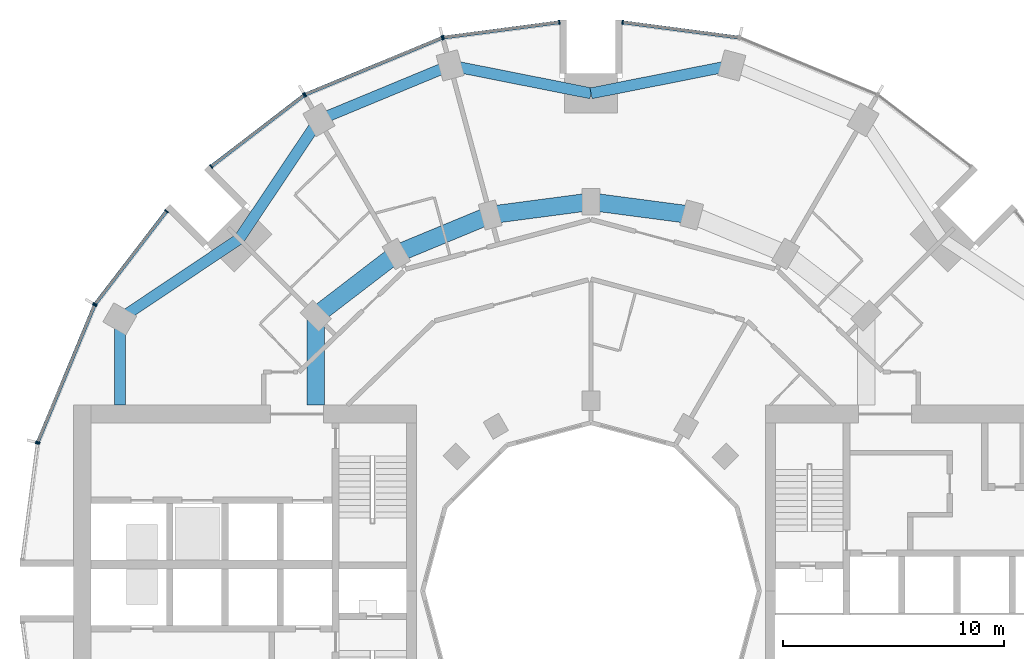
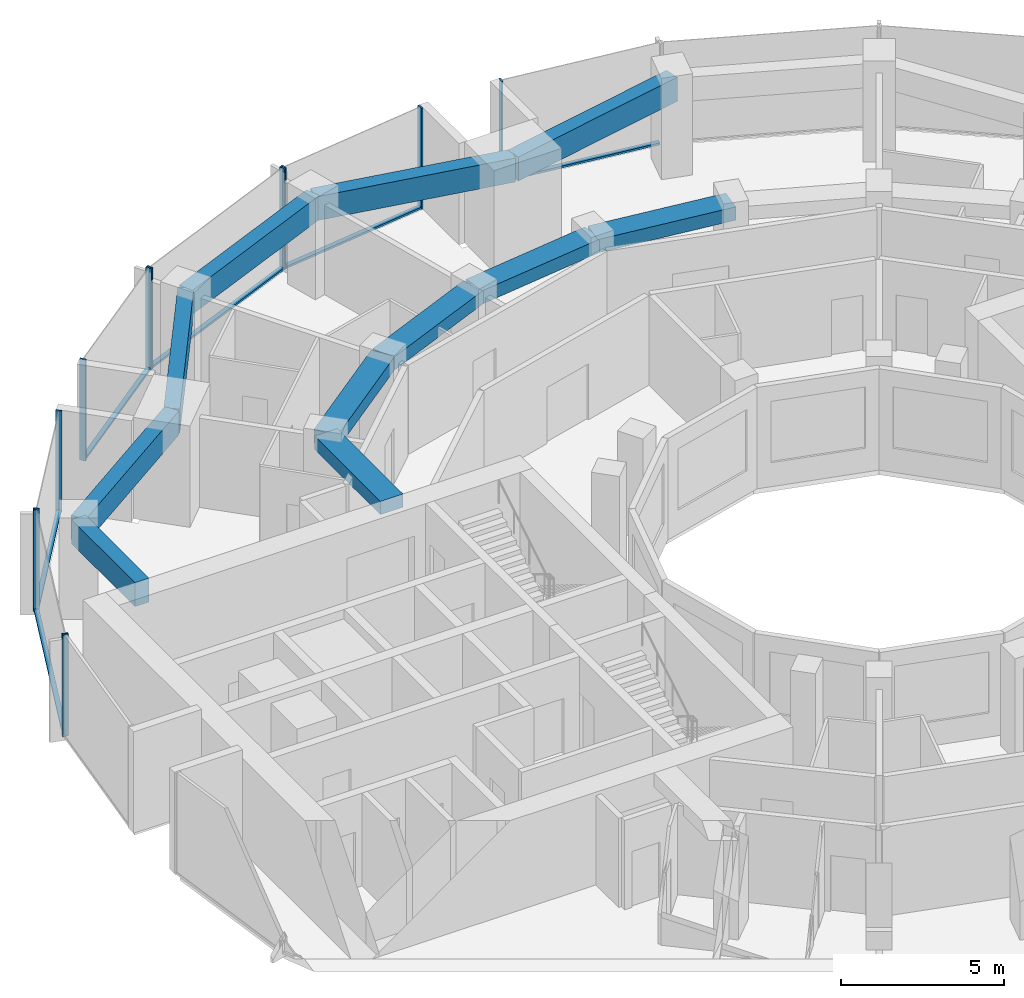
# One storey, part 5 of 15: 18 members, 11 beams, 7 elements without a shape of their own.
"""IFC4 building model written with IfcOpenShell, lengths in metres."""

from ifc_helpers import new_model, si_unit, direction, frame, origin, origin_2d, place, context, subcontext, project, spatial, rectangle, extrude, material, layer, layer_set, material_profile, profile_set, type_object, element, aggregate, save


model = new_model("IFC4")

# Units and contexts
model_context = context("Model", 3, precision=1e-05, world=origin(), true_north=direction((0.0, 1.0)))
body_context = subcontext(model_context, "Body", "Model", "MODEL_VIEW")
ifc_project = project(units=[si_unit("LENGTHUNIT", "METRE"), si_unit("AREAUNIT", "SQUARE_METRE"), si_unit("VOLUMEUNIT", "CUBIC_METRE"), si_unit("PLANEANGLEUNIT", "RADIAN"), si_unit("MASSUNIT", "GRAM", prefix="KILO")], contexts=[model_context])

# Site, building, storey
site_placement = place(None, origin())
site = spatial("IfcSite", under=ifc_project, at=site_placement, CompositionType="ELEMENT")
building_placement = place(site_placement, origin())
building = spatial("IfcBuilding", under=site, at=building_placement, Name="Torre Brocal", CompositionType="ELEMENT")
storey_placement = place(building_placement, frame((0.0, 0.0, 101.39990234375)))
storey = spatial("IfcBuildingStorey", under=building, at=storey_placement, Name="L23", CompositionType="ELEMENT", Elevation=101.39990234375)

# Curtain wall, member
ifc_material_1 = material(Name="Aluminium and glass", Category="aluminium")
ifc_layer_1 = layer(ifc_material_1, 0.199951171875)
ifc_layer_set_1 = layer_set([ifc_layer_1], Name="Aluminium and glass")
curtain_wall_type_1 = type_object("IfcCurtainWallType", Name="CW-1 CURTAIN WALL 3800 HIGH", PredefinedType="NOTDEFINED", material=ifc_layer_set_1)
curtain_wall_1_placement = place(storey_placement, origin())
curtain_wall_1 = element("IfcCurtainWall", 1, at=curtain_wall_1_placement, inside=storey, type_object=curtain_wall_type_1, Name="CW-1 RUN 6", PredefinedType="NOTDEFINED")
ifc_material_2 = material(Name="Aluminium, dark anodised", Category="aluminium")
ifc_material_profile_1 = material_profile(ifc_material_2, rectangle(XDim=0.199951171875, YDim=0.06005859375, at=origin_2d()), Name="CW-1 MULLION 60X200")
ifc_profile_set_1 = profile_set([ifc_material_profile_1], Name="Aluminium, dark anodised")
member_type_1 = type_object("IfcMemberType", Name="CW-1 MULLION 60X200", PredefinedType="MULLION", material=ifc_profile_set_1)
member_1_placement = place(storey_placement, frame((81.4296875, 100.7109375, 0.0), z_axis=(0.0, 0.0, 1.0), x_axis=(-0.13052619222, -0.991444861374, 0.0)))
member_1 = element("IfcMember", 2, at=member_1_placement, type_object=member_type_1, Name="CW1-1 mullion 2", PredefinedType="MULLION", context=body_context, shape_type="SweptSolid", body=[
    extrude(rectangle(XDim=0.199951171875, YDim=0.06005859375, at=origin_2d()), origin(), (0.0, 0.0, 1.0), 3.800048828125),
])

# Curtain wall, members
curtain_wall_2_placement = place(storey_placement, origin())
curtain_wall_2 = element("IfcCurtainWall", 3, at=curtain_wall_2_placement, inside=storey, type_object=curtain_wall_type_1, Name="CW-1 RUN 7", PredefinedType="NOTDEFINED")
member_2_placement = place(storey_placement, frame((78.5703125, 100.7109375, 0.0), z_axis=(0.0, 0.0, 1.0), x_axis=(0.13052619222, -0.991444861374, 0.0)))
member_2 = element("IfcMember", 4, at=member_2_placement, type_object=member_type_1, Name="CW1-1 mullion 1", PredefinedType="MULLION", context=body_context, shape_type="SweptSolid", body=[
    extrude(rectangle(XDim=0.199951171875, YDim=0.06005859375, at=origin_2d()), origin(), (0.0, 0.0, 1.0), 3.800048828125),
])
member_3_placement = place(storey_placement, frame((73.32666015625, 100.0205078125, 0.0), z_axis=(0.0, 0.0, 1.0), x_axis=(0.13052619222, -0.991444861374, 0.0)))
member_3 = element("IfcMember", 5, at=member_3_placement, type_object=member_type_1, Name="CW1-1 mullion 2", PredefinedType="MULLION", context=body_context, shape_type="SweptSolid", body=[
    extrude(rectangle(XDim=0.199951171875, YDim=0.06005859375, at=origin_2d()), origin(), (0.0, 0.0, 1.0), 3.800048828125),
])

curtain_wall_3_placement = place(storey_placement, origin())
curtain_wall_3 = element("IfcCurtainWall", 6, at=curtain_wall_3_placement, inside=storey, type_object=curtain_wall_type_1, Name="CW-1 RUN 8", PredefinedType="NOTDEFINED")
member_4_placement = place(storey_placement, frame((73.26904296875, 100.005126953125, 0.0), z_axis=(0.0, 0.0, 1.0), x_axis=(0.382683432333, -0.923879532525, 0.0)))
member_4 = element("IfcMember", 7, at=member_4_placement, type_object=member_type_1, Name="CW1-1 mullion 1", PredefinedType="MULLION", context=body_context, shape_type="SweptSolid", body=[
    extrude(rectangle(XDim=0.199951171875, YDim=0.06005859375, at=origin_2d()), origin(), (0.0, 0.0, 1.0), 3.800048828125),
])
member_5_placement = place(storey_placement, frame((67.078125, 97.440673828125, 0.0), z_axis=(0.0, 0.0, 1.0), x_axis=(0.382683432333, -0.923879532525, 0.0)))
member_5 = element("IfcMember", 8, at=member_5_placement, type_object=member_type_1, Name="CW1-1 mullion 2", PredefinedType="MULLION", context=body_context, shape_type="SweptSolid", body=[
    extrude(rectangle(XDim=0.199951171875, YDim=0.06005859375, at=origin_2d()), origin(), (0.0, 0.0, 1.0), 3.800048828125),
])

curtain_wall_4_placement = place(storey_placement, origin())
curtain_wall_4 = element("IfcCurtainWall", 9, at=curtain_wall_4_placement, inside=storey, type_object=curtain_wall_type_1, Name="CW-1 RUN 9", PredefinedType="NOTDEFINED")
member_6_placement = place(storey_placement, frame((67.026611328125, 97.4111328125, 0.0), z_axis=(0.0, 0.0, 1.0), x_axis=(0.60876142905, -0.793353340259, 0.0)))
member_6 = element("IfcMember", 10, at=member_6_placement, type_object=member_type_1, Name="CW1-1 mullion 1", PredefinedType="MULLION", context=body_context, shape_type="SweptSolid", body=[
    extrude(rectangle(XDim=0.199951171875, YDim=0.06005859375, at=origin_2d()), origin(), (0.0, 0.0, 1.0), 3.800048828125),
])
member_7_placement = place(storey_placement, frame((62.83056640625, 94.19140625, 0.0), z_axis=(0.0, 0.0, 1.0), x_axis=(0.60876142905, -0.793353340259, 0.0)))
member_7 = element("IfcMember", 11, at=member_7_placement, type_object=member_type_1, Name="CW1-1 mullion 2", PredefinedType="MULLION", context=body_context, shape_type="SweptSolid", body=[
    extrude(rectangle(XDim=0.199951171875, YDim=0.06005859375, at=origin_2d()), origin(), (0.0, 0.0, 1.0), 3.800048828125),
])

curtain_wall_5_placement = place(storey_placement, origin())
curtain_wall_5 = element("IfcCurtainWall", 12, at=curtain_wall_5_placement, inside=storey, type_object=curtain_wall_type_1, Name="CW-1 RUN 10", PredefinedType="NOTDEFINED")
member_8_placement = place(storey_placement, frame((60.80859375, 92.16943359375, 0.0), z_axis=(0.0, 0.0, 1.0), x_axis=(0.793353340259, -0.60876142905, 0.0)))
member_8 = element("IfcMember", 13, at=member_8_placement, type_object=member_type_1, Name="CW1-1 mullion 1", PredefinedType="MULLION", context=body_context, shape_type="SweptSolid", body=[
    extrude(rectangle(XDim=0.199951171875, YDim=0.06005859375, at=origin_2d()), origin(), (0.0, 0.0, 1.0), 3.800048828125),
])
member_9_placement = place(storey_placement, frame((57.5888671875, 87.973388671875, 0.0), z_axis=(0.0, 0.0, 1.0), x_axis=(0.793353340259, -0.60876142905, 0.0)))
member_9 = element("IfcMember", 14, at=member_9_placement, type_object=member_type_1, Name="CW1-1 mullion 2", PredefinedType="MULLION", context=body_context, shape_type="SweptSolid", body=[
    extrude(rectangle(XDim=0.199951171875, YDim=0.06005859375, at=origin_2d()), origin(), (0.0, 0.0, 1.0), 3.800048828125),
])

curtain_wall_6_placement = place(storey_placement, origin())
curtain_wall_6 = element("IfcCurtainWall", 15, at=curtain_wall_6_placement, inside=storey, type_object=curtain_wall_type_1, Name="CW-1 RUN 11", PredefinedType="NOTDEFINED")
member_10_placement = place(storey_placement, frame((57.559326171875, 87.921875, 0.0), z_axis=(0.0, 0.0, 1.0), x_axis=(0.923879532525, -0.382683432333, 0.0)))
member_10 = element("IfcMember", 16, at=member_10_placement, type_object=member_type_1, Name="CW1-1 mullion 1", PredefinedType="MULLION", context=body_context, shape_type="SweptSolid", body=[
    extrude(rectangle(XDim=0.199951171875, YDim=0.06005859375, at=origin_2d()), origin(), (0.0, 0.0, 1.0), 3.800048828125),
])
member_11_placement = place(storey_placement, frame((54.994873046875, 81.73095703125, 0.0), z_axis=(0.0, 0.0, 1.0), x_axis=(0.923879532525, -0.382683432333, 0.0)))
member_11 = element("IfcMember", 17, at=member_11_placement, type_object=member_type_1, Name="CW1-1 mullion 2", PredefinedType="MULLION", context=body_context, shape_type="SweptSolid", body=[
    extrude(rectangle(XDim=0.199951171875, YDim=0.06005859375, at=origin_2d()), origin(), (0.0, 0.0, 1.0), 3.800048828125),
])

# Member
ifc_material_3 = material(Name="Aluminium, dark anodised", Category="aluminium")
ifc_material_profile_2 = material_profile(ifc_material_3, rectangle(XDim=0.159912109375, YDim=0.080078125, at=origin_2d()), Name="CW-1 TRANSOM 160X80")
ifc_profile_set_2 = profile_set([ifc_material_profile_2], Name="Aluminium, dark anodised")
member_type_2 = type_object("IfcMemberType", Name="CW-1 TRANSOM 160X80", PredefinedType="USERDEFINED", material=ifc_profile_set_2)
member_12_placement = place(storey_placement, frame((86.643798828125, 100.0244140625, 0.0400390625), z_axis=(-0.991442690863, 0.130542677827, 0.0), x_axis=(-0.130542677827, -0.991442690863, 0.0)))
member_12 = element("IfcMember", 18, at=member_12_placement, type_object=member_type_2, Name="CW1-1 transom 1.1", ObjectType="TRANSOM", PredefinedType="USERDEFINED", context=body_context, shape_type="SweptSolid", body=[
    extrude(rectangle(XDim=0.159912109375, YDim=0.080078125, at=origin_2d()), origin(), (0.0, 0.0, 1.0), 5.22900390625),
])

aggregate(curtain_wall_1, [member_1, member_12])

member_13_placement = place(storey_placement, frame((78.54052734375, 100.70703125, 0.0400390625), z_axis=(-0.991442690863, -0.130542677827, 0.0), x_axis=(0.130542677827, -0.991442690863, 0.0)))
member_13 = element("IfcMember", 19, at=member_13_placement, type_object=member_type_2, Name="CW1-1 transom 1.1", ObjectType="TRANSOM", PredefinedType="USERDEFINED", context=body_context, shape_type="SweptSolid", body=[
    extrude(rectangle(XDim=0.159912109375, YDim=0.080078125, at=origin_2d()), origin(), (0.0, 0.0, 1.0), 5.22900390625),
])

aggregate(curtain_wall_2, [member_2, member_3, member_13])

member_14_placement = place(storey_placement, frame((73.241455078125, 99.99365234375, 0.0400390625), z_axis=(-0.923887344364, -0.38266457234, 0.0), x_axis=(0.38266457234, -0.923887344364, 0.0)))
member_14 = element("IfcMember", 20, at=member_14_placement, type_object=member_type_2, Name="CW1-1 transom 1.1", ObjectType="TRANSOM", PredefinedType="USERDEFINED", context=body_context, shape_type="SweptSolid", body=[
    extrude(rectangle(XDim=0.159912109375, YDim=0.080078125, at=origin_2d()), origin(), (0.0, 0.0, 1.0), 6.640869140625),
])

aggregate(curtain_wall_3, [member_4, member_5, member_14])

member_15_placement = place(storey_placement, frame((67.0029296875, 97.392822265625, 0.0400390625), z_axis=(-0.79336281513, -0.60874908096, 0.0), x_axis=(0.60874908096, -0.79336281513, 0.0)))
member_15 = element("IfcMember", 21, at=member_15_placement, type_object=member_type_2, Name="CW1-1 transom 1.1", ObjectType="TRANSOM", PredefinedType="USERDEFINED", context=body_context, shape_type="SweptSolid", body=[
    extrude(rectangle(XDim=0.159912109375, YDim=0.080078125, at=origin_2d()), origin(), (0.0, 0.0, 1.0), 5.22900390625),
])

aggregate(curtain_wall_4, [member_6, member_7, member_15])

member_16_placement = place(storey_placement, frame((60.790283203125, 92.1455078125, 0.0400390625), z_axis=(-0.60874908096, -0.79336281513, 0.0), x_axis=(0.79336281513, -0.60874908096, 0.0)))
member_16 = element("IfcMember", 22, at=member_16_placement, type_object=member_type_2, Name="CW1-1 transom 1.1", ObjectType="TRANSOM", PredefinedType="USERDEFINED", context=body_context, shape_type="SweptSolid", body=[
    extrude(rectangle(XDim=0.159912109375, YDim=0.080078125, at=origin_2d()), origin(), (0.0, 0.0, 1.0), 5.22900390625),
])

aggregate(curtain_wall_5, [member_8, member_9, member_16])

member_17_placement = place(storey_placement, frame((57.547607421875, 87.89404296875, 0.0400390625), z_axis=(-0.38266457234, -0.923887344364, 0.0), x_axis=(0.923887344364, -0.38266457234, 0.0)))
member_17 = element("IfcMember", 23, at=member_17_placement, type_object=member_type_2, Name="CW1-1 transom 1.1", ObjectType="TRANSOM", PredefinedType="USERDEFINED", context=body_context, shape_type="SweptSolid", body=[
    extrude(rectangle(XDim=0.159912109375, YDim=0.080078125, at=origin_2d()), origin(), (0.0, 0.0, 1.0), 6.640869140625),
])

aggregate(curtain_wall_6, [member_10, member_11, member_17])

# Curtain wall, member
ifc_material_4 = material(Name="Aluminium and glass", Category="aluminium")
ifc_layer_2 = layer(ifc_material_4, 0.199951171875)
ifc_layer_set_2 = layer_set([ifc_layer_2], Name="Aluminium and glass")
curtain_wall_type_2 = type_object("IfcCurtainWallType", Name="CW-1B CURTAIN WALL 3800 HIGH", PredefinedType="NOTDEFINED", material=ifc_layer_set_2)
curtain_wall_7_placement = place(storey_placement, origin())
curtain_wall_7 = element("IfcCurtainWall", 24, at=curtain_wall_7_placement, inside=storey, type_object=curtain_wall_type_2, Name="CW-1B RUN 12", PredefinedType="NOTDEFINED")
ifc_material_5 = material(Name="Aluminium, dark anodised", Category="aluminium")
ifc_material_profile_3 = material_profile(ifc_material_5, rectangle(XDim=0.199951171875, YDim=0.06005859375, at=origin_2d()), Name="CW-1B MULLION 60X200")
ifc_profile_set_3 = profile_set([ifc_material_profile_3], Name="Aluminium, dark anodised")
member_type_3 = type_object("IfcMemberType", Name="CW-1B MULLION 60X200", PredefinedType="MULLION", material=ifc_profile_set_3)
member_18_placement = place(storey_placement, frame((54.9794921875, 81.67333984375, 0.0), z_axis=(0.0, 0.0, 1.0), x_axis=(0.991444861374, -0.13052619222, 0.0)))
member_18 = element("IfcMember", 25, at=member_18_placement, type_object=member_type_3, Name="CW1B-1 mullion 1", PredefinedType="MULLION", context=body_context, shape_type="SweptSolid", body=[
    extrude(rectangle(XDim=0.199951171875, YDim=0.06005859375, at=origin_2d()), origin(), (0.0, 0.0, 1.0), 3.800048828125),
])
aggregate(curtain_wall_7, [member_18])

# Beams
ifc_material_6 = material(Name="Concrete C50", Category="concrete")
ifc_material_profile_4 = material_profile(ifc_material_6, rectangle(XDim=0.800048828125, YDim=0.5, at=origin_2d()), Name="RC 800X500")
ifc_profile_set_4 = profile_set([ifc_material_profile_4], Name="Concrete C50")
beam_type_1 = type_object("IfcBeamType", Name="RC BEAM 800X500 C50 TOP 3480", PredefinedType="BEAM", material=ifc_profile_set_4)
for number, where, z_axis, x_axis, name in (
    (26, (84.55517578125, 92.000244140625, 3.22998046875), (-0.991440544449, 0.130558978332, 0.0), (-0.130558978332, -0.991440544449, 0.0), "Beam BT-19"),
    (27, (80.0, 92.60009765625, 3.22998046875), (-0.991440544449, -0.130558978332, 0.0), (0.130558978332, -0.991440544449, 0.0), "Beam BT-19"),
):
    element("IfcBeam", number, at=place(storey_placement, frame(where, z_axis=z_axis, x_axis=x_axis)), inside=storey, type_object=beam_type_1, Name=name, PredefinedType="BEAM", context=body_context, shape_type="SweptSolid", body=[
        extrude(rectangle(XDim=0.800048828125, YDim=0.5, at=origin_2d()), origin(), (0.0, 0.0, 1.0), 4.594482421875),
    ])
beam_1_placement = place(storey_placement, frame((75.44482421875, 92.000244140625, 3.22998046875), z_axis=(-0.923878240166, -0.382686552348, 0.0), x_axis=(0.382686552348, -0.923878240166, 0.0)))
element("IfcBeam", 28, at=beam_1_placement, inside=storey, type_object=beam_type_1, Name="Beam BT-19", PredefinedType="BEAM", context=body_context, shape_type="SweptSolid", body=[
    extrude(rectangle(XDim=0.800048828125, YDim=0.5, at=origin_2d()), origin(), (0.0, 0.0, 1.0), 4.5947265625),
])
beam_2_placement = place(storey_placement, frame((71.199951171875, 90.241943359375, 3.22998046875), z_axis=(-0.793358265959, -0.6087550097, 0.0), x_axis=(0.6087550097, -0.793358265959, 0.0)))
element("IfcBeam", 29, at=beam_2_placement, inside=storey, type_object=beam_type_1, Name="Beam BT-19", PredefinedType="BEAM", context=body_context, shape_type="SweptSolid", body=[
    extrude(rectangle(XDim=0.800048828125, YDim=0.5, at=origin_2d()), origin(), (0.0, 0.0, 1.0), 4.594482421875),
])
beam_3_placement = place(storey_placement, frame((67.554931640625, 87.445068359375, 3.22998046875), z_axis=(0.0, -1.0, 0.0), x_axis=(1.0, 0.0, 0.0)))
element("IfcBeam", 30, at=beam_3_placement, inside=storey, type_object=beam_type_1, Name="Beam BT-19", PredefinedType="BEAM", context=body_context, shape_type="SweptSolid", body=[
    extrude(rectangle(XDim=0.800048828125, YDim=0.5, at=origin_2d()), origin(), (0.0, 0.0, 1.0), 4.045166015625),
])
ifc_material_7 = material(Name="Concrete C50", Category="concrete")
ifc_material_profile_5 = material_profile(ifc_material_7, rectangle(XDim=0.5, YDim=0.89990234375, at=origin_2d()), Name="RC 500X900")
ifc_profile_set_5 = profile_set([ifc_material_profile_5], Name="Concrete C50")
beam_type_2 = type_object("IfcBeamType", Name="RC SPANDREL BEAM 500X900 C50 TOP 3480", PredefinedType="SPANDREL", material=ifc_profile_set_5)
for number, where, z_axis, x_axis, name in (
    (31, (86.366943359375, 98.76171875, 3.030029296875), (-0.980924907484, -0.194387051723, 0.0), (0.194387051723, -0.980924907484, 0.0), "Beam BT-20"),
    (32, (80.0, 97.5, 3.030029296875), (-0.980924907484, 0.194387051723, 0.0), (-0.194387051723, -0.980924907484, 0.0), "Beam BT-20"),
):
    element("IfcBeam", number, at=place(storey_placement, frame(where, z_axis=z_axis, x_axis=x_axis)), inside=storey, type_object=beam_type_2, Name=name, PredefinedType="SPANDREL", context=body_context, shape_type="SweptSolid", body=[
        extrude(rectangle(XDim=0.5, YDim=0.89990234375, at=origin_2d()), origin(), (0.0, 0.0, 1.0), 6.49072265625),
    ])
beam_4_placement = place(storey_placement, frame((73.633056640625, 98.76171875, 3.030029296875), z_axis=(-0.923882462513, -0.382676358639, 0.0), x_axis=(0.382676358639, -0.923882462513, 0.0)))
element("IfcBeam", 33, at=beam_4_placement, inside=storey, type_object=beam_type_2, Name="Beam BT-20", PredefinedType="SPANDREL", context=body_context, shape_type="SweptSolid", body=[
    extrude(rectangle(XDim=0.5, YDim=0.89990234375, at=origin_2d()), origin(), (0.0, 0.0, 1.0), 6.421875),
])
for number, where, z_axis, x_axis, name in (
    (34, (67.699951171875, 96.30419921875, 3.030029296875), (-0.556157602282, -0.831076844476, 0.0), (0.831076844476, -0.556157602282, 0.0), "Beam BT-20"),
    (35, (64.090087890625, 90.909912109375, 3.030029296875), (-0.831076844476, -0.556157602282, 0.0), (0.556157602282, -0.831076844476, 0.0), "Beam BT-20"),
):
    element("IfcBeam", number, at=place(storey_placement, frame(where, z_axis=z_axis, x_axis=x_axis)), inside=storey, type_object=beam_type_2, Name=name, PredefinedType="SPANDREL", context=body_context, shape_type="SweptSolid", body=[
        extrude(rectangle(XDim=0.5, YDim=0.89990234375, at=origin_2d()), origin(), (0.0, 0.0, 1.0), 6.49072265625),
    ])
beam_5_placement = place(storey_placement, frame((58.69580078125, 87.300048828125, 3.030029296875), z_axis=(0.0, -1.0, 0.0), x_axis=(1.0, 0.0, 0.0)))
element("IfcBeam", 36, at=beam_5_placement, inside=storey, type_object=beam_type_2, Name="Beam BT-20", PredefinedType="SPANDREL", context=body_context, shape_type="SweptSolid", body=[
    extrude(rectangle(XDim=0.5, YDim=0.89990234375, at=origin_2d()), origin(), (0.0, 0.0, 1.0), 3.900146484375),
])

save(model, "model.ifc")
